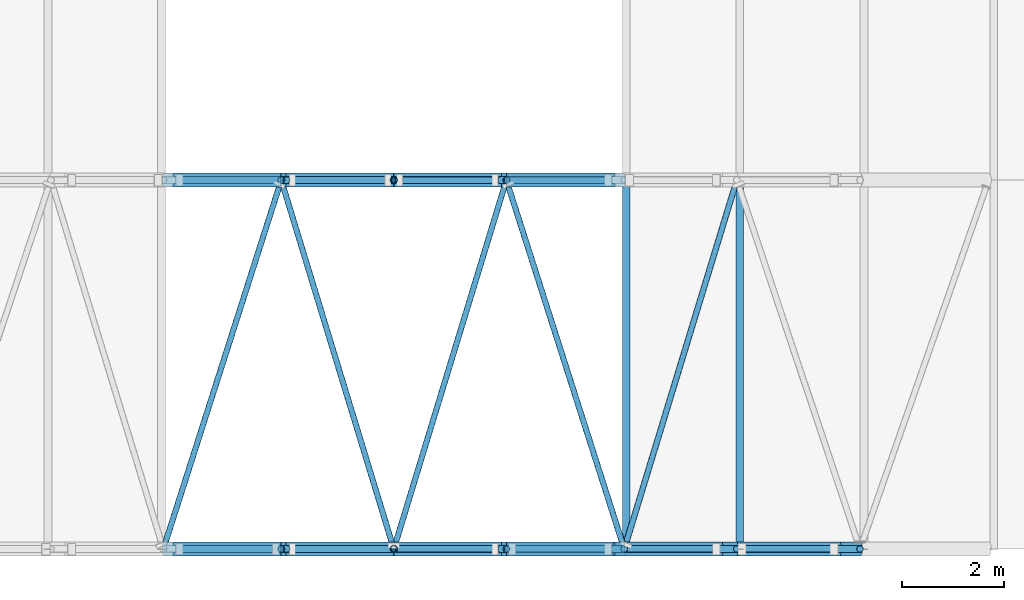
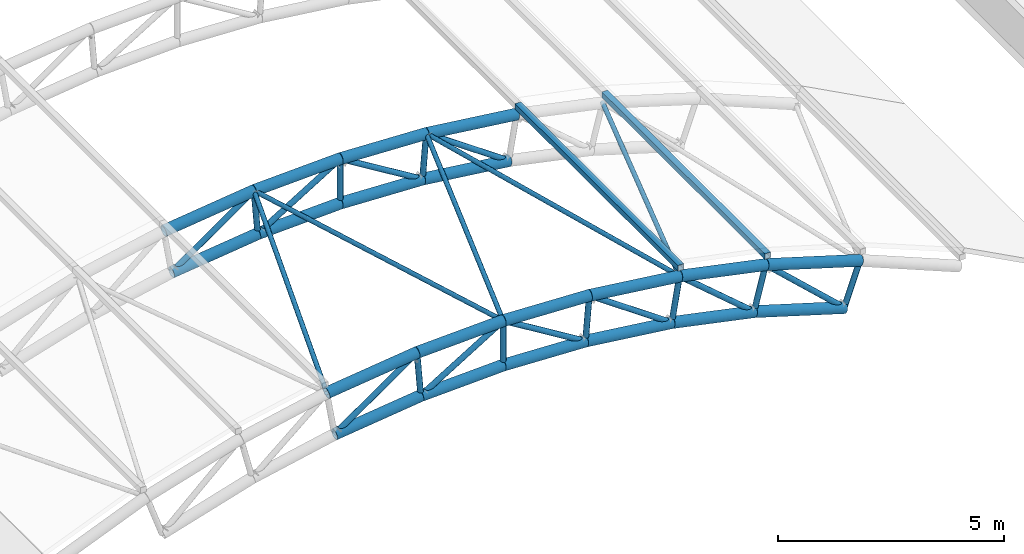
# One storey, part 8 of 92: 46 members.
"""IFC4 building model written with IfcOpenShell, lengths in metres."""

from ifc_helpers import new_model, si_unit, direction, frame, origin, origin_2d, place, context, subcontext, project, spatial, hollow_rectangle, hollow_circle, extrude, material, material_profile, profile_set, type_object, element, save


model = new_model("IFC4")

# Units and contexts
model_context = context("Model", 3, precision=1e-05, world=origin(), true_north=direction((0.0, 1.0)))
body_context = subcontext(model_context, "Body", "Model", "MODEL_VIEW")
ifc_project = project(units=[si_unit("LENGTHUNIT", "METRE"), si_unit("AREAUNIT", "SQUARE_METRE"), si_unit("VOLUMEUNIT", "CUBIC_METRE"), si_unit("PLANEANGLEUNIT", "RADIAN"), si_unit("MASSUNIT", "GRAM", prefix="KILO")], contexts=[model_context])

# Site, building, storey
site_placement = place(None, origin())
site = spatial("IfcSite", under=ifc_project, at=site_placement, CompositionType="ELEMENT")
building_placement = place(site_placement, origin())
building = spatial("IfcBuilding", under=site, at=building_placement, Name="Laocheng Heights Fire and Rescue Headquarters", CompositionType="ELEMENT")
storey_placement = place(building_placement, frame((0.0, 0.0, 12.60009765625)))
storey = spatial("IfcBuildingStorey", under=building, at=storey_placement, Name="L03", CompositionType="ELEMENT", Elevation=12.60009765625)

# Members
ifc_material_1 = material(Name="Steel Q355B", Category="steel")
ifc_material_profile_1 = material_profile(ifc_material_1, hollow_circle(Radius=0.05712890625, WallThickness=0.0048828125, at=origin_2d()), Name="CHS 114.3x5")
ifc_profile_set_1 = profile_set([ifc_material_profile_1], Name="Steel Q355B")
member_type_1 = type_object("IfcMemberType", Name="BAY ROOF BRACE CHS 114.3x5", PredefinedType="BRACE", material=ifc_profile_set_1)
member_1_placement = place(storey_placement, frame((31.501953125, 0.0, 3.826904296875), z_axis=(0.30420605099, 0.951866381936, 0.037537574249), x_axis=(-0.952537714419, 0.304420601485, 0.0)))
element("IfcMember", 1, at=member_1_placement, inside=storey, type_object=member_type_1, Name="Roof brace A-B panel 07", PredefinedType="BRACE", context=body_context, shape_type="SweptSolid", body=[
    extrude(hollow_circle(Radius=0.05712890625, WallThickness=0.0048828125, at=origin_2d()), origin(), (0.0, 0.0, 1.0), 7.56396484375),
])
for number, where, z_axis, x_axis, name in (
    (2, (36.0, 0.0, 4.199951171875), (-0.2918379932, 0.956394516888, -0.011836967165), (-0.956461525961, -0.291858440613, 0.0), "Roof brace A-B panel 08"),
    (3, (36.0, 0.0, 4.199951171875), (0.2918379932, 0.956394516888, -0.011836967165), (-0.956461525961, 0.291858440613, 0.0), "Roof brace A-B panel 09"),
):
    element("IfcMember", number, at=place(storey_placement, frame(where, z_axis=z_axis, x_axis=x_axis)), inside=storey, type_object=member_type_1, Name=name, PredefinedType="BRACE", context=body_context, shape_type="SweptSolid", body=[
        extrude(hollow_circle(Radius=0.05712890625, WallThickness=0.0048828125, at=origin_2d()), origin(), (0.0, 0.0, 1.0), 7.5283203125),
    ])
member_2_placement = place(storey_placement, frame((40.498046875, 0.0, 3.826904296875), z_axis=(-0.30420605099, 0.951866381936, 0.037537574249), x_axis=(-0.952537714419, -0.304420601485, 0.0)))
element("IfcMember", 4, at=member_2_placement, inside=storey, type_object=member_type_1, Name="Roof brace A-B panel 10", PredefinedType="BRACE", context=body_context, shape_type="SweptSolid", body=[
    extrude(hollow_circle(Radius=0.05712890625, WallThickness=0.0048828125, at=origin_2d()), origin(), (0.0, 0.0, 1.0), 7.56396484375),
])
member_3_placement = place(storey_placement, frame((40.498046875, 0.0, 3.826904296875), z_axis=(0.291196627091, 0.954717034969, -0.060991044518), x_axis=(-0.956497734073, 0.291739755111, 0.0)))
element("IfcMember", 5, at=member_3_placement, inside=storey, type_object=member_type_1, Name="Roof brace A-B panel 11", PredefinedType="BRACE", context=body_context, shape_type="SweptSolid", body=[
    extrude(hollow_circle(Radius=0.05712890625, WallThickness=0.0048828125, at=origin_2d()), origin(), (0.0, 0.0, 1.0), 7.54150390625),
])
ifc_material_2 = material(Name="Steel Q355B", Category="steel")
ifc_material_profile_2 = material_profile(ifc_material_2, hollow_circle(Radius=0.136474609375, WallThickness=0.011962890625, at=origin_2d()), Name="CHS 273x12")
ifc_profile_set_2 = profile_set([ifc_material_profile_2], Name="Steel Q355B")
member_type_2 = type_object("IfcMemberType", Name="BAY ROOF CHORD CHS 273x12", PredefinedType="CHORD", material=ifc_profile_set_2)
member_4_placement = place(storey_placement, frame((31.501953125, 0.0, 3.826904296875), z_axis=(0.992472661513, 0.0, 0.122466387834), x_axis=(0.0, 1.0, 0.0)))
element("IfcMember", 6, at=member_4_placement, inside=storey, type_object=member_type_2, Name="Truss TR1 upper chord 07", PredefinedType="CHORD", context=body_context, shape_type="SweptSolid", body=[
    extrude(hollow_circle(Radius=0.136474609375, WallThickness=0.011962890625, at=origin_2d()), origin(), (0.0, 0.0, 1.0), 2.318359375),
])
for number, where, z_axis, x_axis, name in (
    (7, (33.802978515625, 0.0, 4.11083984375), (0.999178454192, 0.0, 0.04052674028), (0.0, 1.0, 0.0), "Truss TR1 upper chord 08"),
    (8, (36.0, 0.0, 4.199951171875), (0.999178454192, 0.0, -0.04052674028), (0.0, 1.0, 0.0), "Truss TR1 upper chord 09"),
):
    element("IfcMember", number, at=place(storey_placement, frame(where, z_axis=z_axis, x_axis=x_axis)), inside=storey, type_object=member_type_2, Name=name, PredefinedType="CHORD", context=body_context, shape_type="SweptSolid", body=[
        extrude(hollow_circle(Radius=0.136474609375, WallThickness=0.011962890625, at=origin_2d()), origin(), (0.0, 0.0, 1.0), 2.19873046875),
    ])
member_5_placement = place(storey_placement, frame((38.197021484375, 0.0, 4.11083984375), z_axis=(0.992472661513, 0.0, -0.122466387834), x_axis=(0.0, 1.0, 0.0)))
element("IfcMember", 9, at=member_5_placement, inside=storey, type_object=member_type_2, Name="Truss TR1 upper chord 10", PredefinedType="CHORD", context=body_context, shape_type="SweptSolid", body=[
    extrude(hollow_circle(Radius=0.136474609375, WallThickness=0.011962890625, at=origin_2d()), origin(), (0.0, 0.0, 1.0), 2.318359375),
])
member_6_placement = place(storey_placement, frame((40.498046875, 0.0, 3.826904296875), z_axis=(0.978761692997, 0.0, -0.205001337366), x_axis=(0.0, 1.0, 0.0)))
element("IfcMember", 10, at=member_6_placement, inside=storey, type_object=member_type_2, Name="Truss TR1 upper chord 11", PredefinedType="CHORD", context=body_context, shape_type="SweptSolid", body=[
    extrude(hollow_circle(Radius=0.136474609375, WallThickness=0.011962890625, at=origin_2d()), origin(), (0.0, 0.0, 1.0), 2.24365234375),
])
member_7_placement = place(storey_placement, frame((42.694091796875, 0.0, 3.366943359375), z_axis=(0.957141950911, 0.0, -0.289619208282), x_axis=(0.0, 1.0, 0.0)))
element("IfcMember", 11, at=member_7_placement, inside=storey, type_object=member_type_2, Name="Truss TR1 upper chord 12", PredefinedType="CHORD", context=body_context, shape_type="SweptSolid", body=[
    extrude(hollow_circle(Radius=0.136474609375, WallThickness=0.011962890625, at=origin_2d()), origin(), (0.0, 0.0, 1.0), 2.513671875),
])
member_8_placement = place(storey_placement, frame((31.699951171875, 0.0, 2.642822265625), z_axis=(0.992444716413, 0.0, 0.122692643889), x_axis=(0.0, 1.0, 0.0)))
element("IfcMember", 12, at=member_8_placement, inside=storey, type_object=member_type_2, Name="Truss TR1 lower chord 07", PredefinedType="CHORD", context=body_context, shape_type="SweptSolid", body=[
    extrude(hollow_circle(Radius=0.136474609375, WallThickness=0.011962890625, at=origin_2d()), origin(), (0.0, 0.0, 1.0), 2.216796875),
])
for number, where, z_axis, x_axis, name in (
    (13, (33.89990234375, 0.0, 2.914794921875), (0.999177972736, 0.0, 0.040538608752), (0.0, 1.0, 0.0), "Truss TR1 lower chord 08"),
    (14, (36.0, 0.0, 3.0), (0.999177972736, 0.0, -0.040538608752), (0.0, 1.0, 0.0), "Truss TR1 lower chord 09"),
):
    element("IfcMember", number, at=place(storey_placement, frame(where, z_axis=z_axis, x_axis=x_axis)), inside=storey, type_object=member_type_2, Name=name, PredefinedType="CHORD", context=body_context, shape_type="SweptSolid", body=[
        extrude(hollow_circle(Radius=0.136474609375, WallThickness=0.011962890625, at=origin_2d()), origin(), (0.0, 0.0, 1.0), 2.101806640625),
    ])
member_9_placement = place(storey_placement, frame((38.10009765625, 0.0, 2.914794921875), z_axis=(0.992444716413, 0.0, -0.122692643889), x_axis=(0.0, 1.0, 0.0)))
element("IfcMember", 15, at=member_9_placement, inside=storey, type_object=member_type_2, Name="Truss TR1 lower chord 10", PredefinedType="CHORD", context=body_context, shape_type="SweptSolid", body=[
    extrude(hollow_circle(Radius=0.136474609375, WallThickness=0.011962890625, at=origin_2d()), origin(), (0.0, 0.0, 1.0), 2.216796875),
])
member_10_placement = place(storey_placement, frame((40.300048828125, 0.0, 2.642822265625), z_axis=(0.978749745758, 0.0, -0.205058370173), x_axis=(0.0, 1.0, 0.0)))
element("IfcMember", 16, at=member_10_placement, inside=storey, type_object=member_type_2, Name="Truss TR1 lower chord 11", PredefinedType="CHORD", context=body_context, shape_type="SweptSolid", body=[
    extrude(hollow_circle(Radius=0.136474609375, WallThickness=0.011962890625, at=origin_2d()), origin(), (0.0, 0.0, 1.0), 2.1455078125),
])
member_11_placement = place(storey_placement, frame((42.39990234375, 0.0, 2.202880859375), z_axis=(0.957132854261, 0.0, -0.289649269451), x_axis=(0.0, 1.0, 0.0)))
element("IfcMember", 17, at=member_11_placement, inside=storey, type_object=member_type_2, Name="Truss TR1 lower chord 12", PredefinedType="CHORD", context=body_context, shape_type="SweptSolid", body=[
    extrude(hollow_circle(Radius=0.136474609375, WallThickness=0.011962890625, at=origin_2d()), origin(), (0.0, 0.0, 1.0), 2.403076171875),
])
member_12_placement = place(storey_placement, frame((31.501953125, 7.199951171875, 3.826904296875), z_axis=(0.992472661513, 0.0, 0.122466387834), x_axis=(0.0, 1.0, 0.0)))
element("IfcMember", 18, at=member_12_placement, inside=storey, type_object=member_type_2, Name="Truss TR2 upper chord 07", PredefinedType="CHORD", context=body_context, shape_type="SweptSolid", body=[
    extrude(hollow_circle(Radius=0.136474609375, WallThickness=0.011962890625, at=origin_2d()), origin(), (0.0, 0.0, 1.0), 2.318359375),
])
for number, where, z_axis, x_axis, name in (
    (19, (33.802978515625, 7.199951171875, 4.11083984375), (0.999178454192, 0.0, 0.04052674028), (0.0, 1.0, 0.0), "Truss TR2 upper chord 08"),
    (20, (36.0, 7.199951171875, 4.199951171875), (0.999178454192, 0.0, -0.04052674028), (0.0, 1.0, 0.0), "Truss TR2 upper chord 09"),
):
    element("IfcMember", number, at=place(storey_placement, frame(where, z_axis=z_axis, x_axis=x_axis)), inside=storey, type_object=member_type_2, Name=name, PredefinedType="CHORD", context=body_context, shape_type="SweptSolid", body=[
        extrude(hollow_circle(Radius=0.136474609375, WallThickness=0.011962890625, at=origin_2d()), origin(), (0.0, 0.0, 1.0), 2.19873046875),
    ])
member_13_placement = place(storey_placement, frame((38.197021484375, 7.199951171875, 4.11083984375), z_axis=(0.992472661513, 0.0, -0.122466387834), x_axis=(0.0, 1.0, 0.0)))
element("IfcMember", 21, at=member_13_placement, inside=storey, type_object=member_type_2, Name="Truss TR2 upper chord 10", PredefinedType="CHORD", context=body_context, shape_type="SweptSolid", body=[
    extrude(hollow_circle(Radius=0.136474609375, WallThickness=0.011962890625, at=origin_2d()), origin(), (0.0, 0.0, 1.0), 2.318359375),
])
member_14_placement = place(storey_placement, frame((31.699951171875, 7.199951171875, 2.642822265625), z_axis=(0.992444716413, 0.0, 0.122692643889), x_axis=(0.0, 1.0, 0.0)))
element("IfcMember", 22, at=member_14_placement, inside=storey, type_object=member_type_2, Name="Truss TR2 lower chord 07", PredefinedType="CHORD", context=body_context, shape_type="SweptSolid", body=[
    extrude(hollow_circle(Radius=0.136474609375, WallThickness=0.011962890625, at=origin_2d()), origin(), (0.0, 0.0, 1.0), 2.216796875),
])
for number, where, z_axis, x_axis, name in (
    (23, (33.89990234375, 7.199951171875, 2.914794921875), (0.999177972736, 0.0, 0.040538608752), (0.0, 1.0, 0.0), "Truss TR2 lower chord 08"),
    (24, (36.0, 7.199951171875, 3.0), (0.999177972736, 0.0, -0.040538608752), (0.0, 1.0, 0.0), "Truss TR2 lower chord 09"),
):
    element("IfcMember", number, at=place(storey_placement, frame(where, z_axis=z_axis, x_axis=x_axis)), inside=storey, type_object=member_type_2, Name=name, PredefinedType="CHORD", context=body_context, shape_type="SweptSolid", body=[
        extrude(hollow_circle(Radius=0.136474609375, WallThickness=0.011962890625, at=origin_2d()), origin(), (0.0, 0.0, 1.0), 2.101806640625),
    ])
member_15_placement = place(storey_placement, frame((38.10009765625, 7.199951171875, 2.914794921875), z_axis=(0.992444716413, 0.0, -0.122692643889), x_axis=(0.0, 1.0, 0.0)))
element("IfcMember", 25, at=member_15_placement, inside=storey, type_object=member_type_2, Name="Truss TR2 lower chord 10", PredefinedType="CHORD", context=body_context, shape_type="SweptSolid", body=[
    extrude(hollow_circle(Radius=0.136474609375, WallThickness=0.011962890625, at=origin_2d()), origin(), (0.0, 0.0, 1.0), 2.216796875),
])
ifc_material_3 = material(Name="Steel Q355B", Category="steel")
ifc_material_profile_3 = material_profile(ifc_material_3, hollow_circle(Radius=0.06982421875, WallThickness=0.006103515625, at=origin_2d()), Name="CHS 139.7x6")
ifc_profile_set_3 = profile_set([ifc_material_profile_3], Name="Steel Q355B")
member_type_3 = type_object("IfcMemberType", Name="BAY ROOF DIAG CHS 139.7x6", PredefinedType="BRACE", material=ifc_profile_set_3)
member_16_placement = place(storey_placement, frame((31.699951171875, 0.0, 2.642822265625), z_axis=(0.819982530229, 0.0, 0.572388548208), x_axis=(0.0, 1.0, 0.0)))
element("IfcMember", 26, at=member_16_placement, inside=storey, type_object=member_type_3, Name="Truss diagonal TR1-07", PredefinedType="BRACE", context=body_context, shape_type="SweptSolid", body=[
    extrude(hollow_circle(Radius=0.06982421875, WallThickness=0.006103515625, at=origin_2d()), origin(), (0.0, 0.0, 1.0), 2.564697265625),
])
for number, where, z_axis, x_axis, name in (
    (27, (33.89990234375, 0.0, 2.914794921875), (0.852963029568, 0.0, 0.521971330812), (0.0, 1.0, 0.0), "Truss diagonal TR1-08"),
    (28, (38.10009765625, 0.0, 2.914794921875), (-0.852963029568, 0.0, 0.521971330812), (0.0, -1.0, 0.0), "Truss diagonal TR1-09"),
):
    element("IfcMember", number, at=place(storey_placement, frame(where, z_axis=z_axis, x_axis=x_axis)), inside=storey, type_object=member_type_3, Name=name, PredefinedType="BRACE", context=body_context, shape_type="SweptSolid", body=[
        extrude(hollow_circle(Radius=0.06982421875, WallThickness=0.006103515625, at=origin_2d()), origin(), (0.0, 0.0, 1.0), 2.462158203125),
    ])
member_17_placement = place(storey_placement, frame((40.300048828125, 0.0, 2.642822265625), z_axis=(-0.819982530229, 0.0, 0.572388548208), x_axis=(0.0, -1.0, 0.0)))
element("IfcMember", 29, at=member_17_placement, inside=storey, type_object=member_type_3, Name="Truss diagonal TR1-10", PredefinedType="BRACE", context=body_context, shape_type="SweptSolid", body=[
    extrude(hollow_circle(Radius=0.06982421875, WallThickness=0.006103515625, at=origin_2d()), origin(), (0.0, 0.0, 1.0), 2.564697265625),
])
member_18_placement = place(storey_placement, frame((42.39990234375, 0.0, 2.202880859375), z_axis=(-0.760468082099, 0.0, 0.649375312211), x_axis=(0.0, -1.0, 0.0)))
element("IfcMember", 30, at=member_18_placement, inside=storey, type_object=member_type_3, Name="Truss diagonal TR1-11", PredefinedType="BRACE", context=body_context, shape_type="SweptSolid", body=[
    extrude(hollow_circle(Radius=0.06982421875, WallThickness=0.006103515625, at=origin_2d()), origin(), (0.0, 0.0, 1.0), 2.5009765625),
])
member_19_placement = place(storey_placement, frame((44.699951171875, 0.0, 1.5068359375), z_axis=(-0.733244694838, 0.0, 0.679964864895), x_axis=(0.0, -1.0, 0.0)))
element("IfcMember", 31, at=member_19_placement, inside=storey, type_object=member_type_3, Name="Truss diagonal TR1-12", PredefinedType="BRACE", context=body_context, shape_type="SweptSolid", body=[
    extrude(hollow_circle(Radius=0.06982421875, WallThickness=0.006103515625, at=origin_2d()), origin(), (0.0, 0.0, 1.0), 2.735595703125),
])
member_20_placement = place(storey_placement, frame((31.699951171875, 7.199951171875, 2.642822265625), z_axis=(0.819982530229, 0.0, 0.572388548208), x_axis=(0.0, 1.0, 0.0)))
element("IfcMember", 32, at=member_20_placement, inside=storey, type_object=member_type_3, Name="Truss diagonal TR2-07", PredefinedType="BRACE", context=body_context, shape_type="SweptSolid", body=[
    extrude(hollow_circle(Radius=0.06982421875, WallThickness=0.006103515625, at=origin_2d()), origin(), (0.0, 0.0, 1.0), 2.564697265625),
])
for number, where, z_axis, x_axis, name in (
    (33, (33.89990234375, 7.199951171875, 2.914794921875), (0.852963029568, 0.0, 0.521971330812), (0.0, 1.0, 0.0), "Truss diagonal TR2-08"),
    (34, (38.10009765625, 7.199951171875, 2.914794921875), (-0.852963029568, 0.0, 0.521971330812), (0.0, -1.0, 0.0), "Truss diagonal TR2-09"),
):
    element("IfcMember", number, at=place(storey_placement, frame(where, z_axis=z_axis, x_axis=x_axis)), inside=storey, type_object=member_type_3, Name=name, PredefinedType="BRACE", context=body_context, shape_type="SweptSolid", body=[
        extrude(hollow_circle(Radius=0.06982421875, WallThickness=0.006103515625, at=origin_2d()), origin(), (0.0, 0.0, 1.0), 2.462158203125),
    ])
member_21_placement = place(storey_placement, frame((40.300048828125, 7.199951171875, 2.642822265625), z_axis=(-0.819982530229, 0.0, 0.572388548208), x_axis=(0.0, -1.0, 0.0)))
element("IfcMember", 35, at=member_21_placement, inside=storey, type_object=member_type_3, Name="Truss diagonal TR2-10", PredefinedType="BRACE", context=body_context, shape_type="SweptSolid", body=[
    extrude(hollow_circle(Radius=0.06982421875, WallThickness=0.006103515625, at=origin_2d()), origin(), (0.0, 0.0, 1.0), 2.564697265625),
])
ifc_material_4 = material(Name="Steel Q355B", Category="steel")
ifc_material_profile_4 = material_profile(ifc_material_4, hollow_circle(Radius=0.06982421875, WallThickness=0.006103515625, at=origin_2d()), Name="CHS 139.7x6")
ifc_profile_set_4 = profile_set([ifc_material_profile_4], Name="Steel Q355B")
member_type_4 = type_object("IfcMemberType", Name="BAY ROOF POST CHS 139.7x6", PredefinedType="POST", material=ifc_profile_set_4)
for number, where, z_axis, x_axis, name in (
    (36, (33.89990234375, 0.0, 2.914794921875), (-0.080772165441, 0.0, 0.996732590663), (0.0, -1.0, 0.0), "Truss TR1 radial post 07"),
    (37, (36.0, 0.0, 3.0), (0.0, 0.0, 1.0), (1.0, 0.0, 0.0), "Truss TR1 radial post 08"),
    (38, (38.10009765625, 0.0, 2.914794921875), (0.080772165441, 0.0, 0.996732590663), (0.0, 1.0, 0.0), "Truss TR1 radial post 09"),
):
    element("IfcMember", number, at=place(storey_placement, frame(where, z_axis=z_axis, x_axis=x_axis)), inside=storey, type_object=member_type_4, Name=name, PredefinedType="POST", context=body_context, shape_type="SweptSolid", body=[
        extrude(hollow_circle(Radius=0.06982421875, WallThickness=0.006103515625, at=origin_2d()), origin(), (0.0, 0.0, 1.0), 1.199951171875),
    ])
member_22_placement = place(storey_placement, frame((40.300048828125, 0.0, 2.642822265625), z_axis=(0.164926605807, 0.0, 0.986305842372), x_axis=(0.0, 1.0, 0.0)))
element("IfcMember", 39, at=member_22_placement, inside=storey, type_object=member_type_4, Name="Truss TR1 radial post 10", PredefinedType="POST", context=body_context, shape_type="SweptSolid", body=[
    extrude(hollow_circle(Radius=0.06982421875, WallThickness=0.006103515625, at=origin_2d()), origin(), (0.0, 0.0, 1.0), 1.200439453125),
])
for number, where, z_axis, x_axis, name in (
    (40, (42.39990234375, 0.0, 2.202880859375), (0.24502273224, 0.0, 0.969517333876), (0.0, 1.0, 0.0), "Truss TR1 radial post 11"),
    (41, (44.699951171875, 0.0, 1.5068359375), (0.333256144539, 0.0, 0.942836328387), (0.0, 1.0, 0.0), "Truss TR1 radial post 12"),
):
    element("IfcMember", number, at=place(storey_placement, frame(where, z_axis=z_axis, x_axis=x_axis)), inside=storey, type_object=member_type_4, Name=name, PredefinedType="POST", context=body_context, shape_type="SweptSolid", body=[
        extrude(hollow_circle(Radius=0.06982421875, WallThickness=0.006103515625, at=origin_2d()), origin(), (0.0, 0.0, 1.0), 1.20068359375),
    ])
for number, where, z_axis, x_axis, name in (
    (42, (33.89990234375, 7.199951171875, 2.914794921875), (-0.080772165441, 0.0, 0.996732590663), (0.0, -1.0, 0.0), "Truss TR2 radial post 07"),
    (43, (36.0, 7.199951171875, 3.0), (0.0, 0.0, 1.0), (1.0, 0.0, 0.0), "Truss TR2 radial post 08"),
    (44, (38.10009765625, 7.199951171875, 2.914794921875), (0.080772165441, 0.0, 0.996732590663), (0.0, 1.0, 0.0), "Truss TR2 radial post 09"),
):
    element("IfcMember", number, at=place(storey_placement, frame(where, z_axis=z_axis, x_axis=x_axis)), inside=storey, type_object=member_type_4, Name=name, PredefinedType="POST", context=body_context, shape_type="SweptSolid", body=[
        extrude(hollow_circle(Radius=0.06982421875, WallThickness=0.006103515625, at=origin_2d()), origin(), (0.0, 0.0, 1.0), 1.199951171875),
    ])
ifc_material_5 = material(Name="Steel Q355B", Category="steel")
ifc_material_profile_5 = material_profile(ifc_material_5, hollow_rectangle(XDim=0.14990234375, YDim=0.14990234375, WallThickness=0.008056640625, at=origin_2d()), Name="SHS 150x150x8")
ifc_profile_set_5 = profile_set([ifc_material_profile_5], Name="Steel Q355B")
member_type_5 = type_object("IfcMemberType", Name="BAY ROOF PURLIN SHS 150x150x8", PredefinedType="PURLIN", material=ifc_profile_set_5)
for number, where, z_axis, x_axis, name in (
    (45, (40.534912109375, 0.0, 4.047119140625), (0.0, 1.0, 0.0), (-1.0, 0.0, 0.0), "Purlin 11.1"),
    (46, (42.75, 0.0, 3.588134765625), (0.0, 1.0, 0.0), (-1.0, 0.0, 0.0), "Purlin 12.1"),
):
    element("IfcMember", number, at=place(storey_placement, frame(where, z_axis=z_axis, x_axis=x_axis)), inside=storey, type_object=member_type_5, Name=name, PredefinedType="PURLIN", context=body_context, shape_type="SweptSolid", body=[
        extrude(hollow_rectangle(XDim=0.14990234375, YDim=0.14990234375, WallThickness=0.008056640625, at=origin_2d()), origin(), (0.0, 0.0, 1.0), 7.199951171875),
    ])

save(model, "model.ifc")
